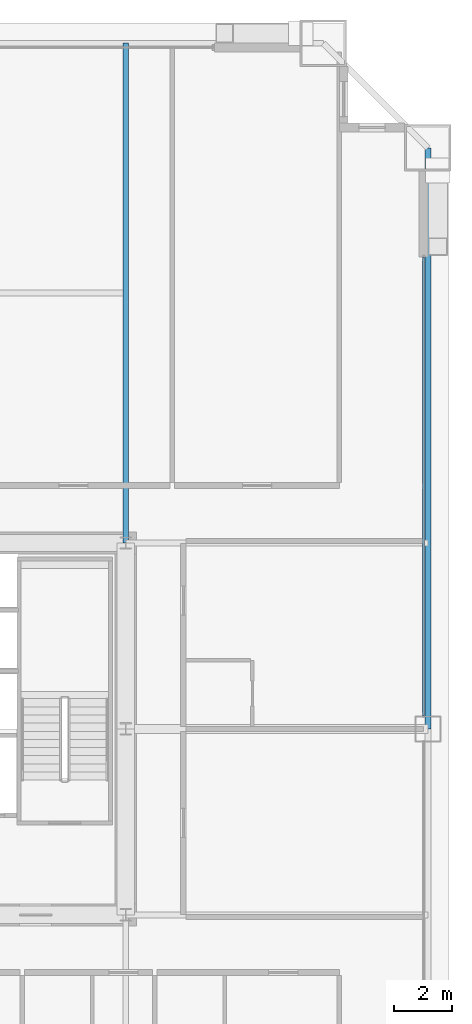
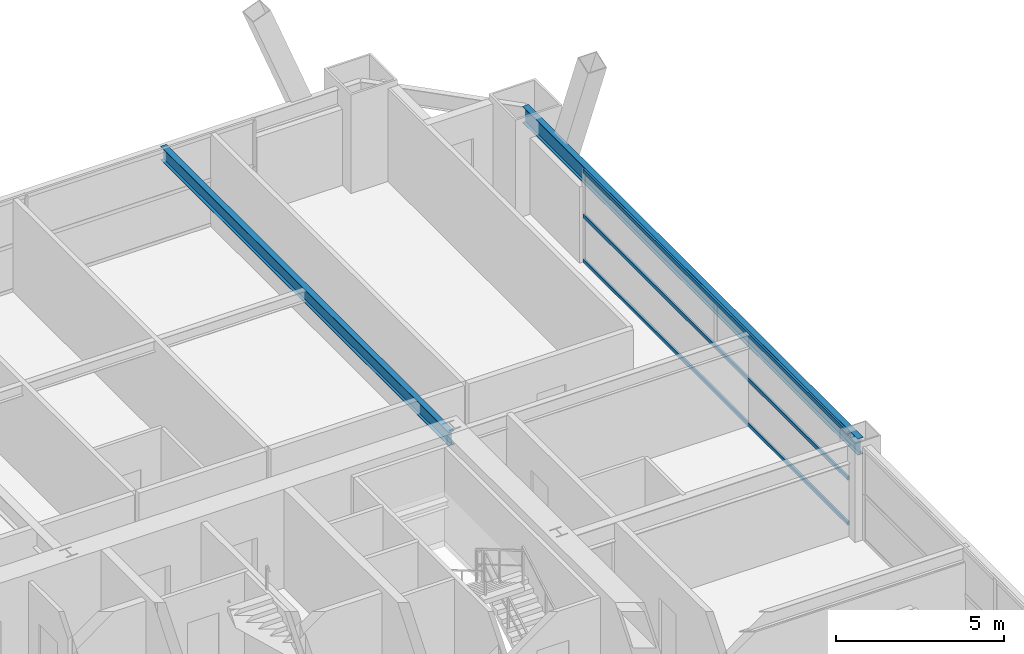
# One storey, part 32 of 43: 3 members, 2 beams, 1 element without a shape of its own.
"""IFC4 building model written with IfcOpenShell, lengths in metres."""

from ifc_helpers import new_model, si_unit, direction, frame, origin, origin_2d, place, context, subcontext, project, spatial, hollow_rectangle, i_section, extrude, source, transform, mapped, material, layer, layer_set, material_profile, profile_set, type_object, element, aggregate, save


model = new_model("IFC4")

# Units and contexts
model_context = context("Model", 3, precision=1e-05, world=origin(), true_north=direction((0.0, 1.0)))
body_context = subcontext(model_context, "Body", "Model", "MODEL_VIEW")
ifc_project = project(units=[si_unit("LENGTHUNIT", "METRE"), si_unit("AREAUNIT", "SQUARE_METRE"), si_unit("VOLUMEUNIT", "CUBIC_METRE"), si_unit("PLANEANGLEUNIT", "RADIAN"), si_unit("MASSUNIT", "GRAM", prefix="KILO"), si_unit("THERMODYNAMICTEMPERATUREUNIT", "KELVIN"), si_unit("POWERUNIT", "WATT")], contexts=[model_context])

# Site, building, storey
site_placement = place(None, origin())
site = spatial("IfcSite", under=ifc_project, at=site_placement, CompositionType="ELEMENT")
building_placement = place(site_placement, origin())
building = spatial("IfcBuilding", under=site, at=building_placement, Name="Yuzanri Waterfront Tower", CompositionType="ELEMENT")
storey_placement = place(building_placement, frame((0.0, 0.0, 93.800048828125)))
storey = spatial("IfcBuildingStorey", under=building, at=storey_placement, Name="L24", CompositionType="ELEMENT", Elevation=93.800048828125)

# Beams
ifc_material_1 = material(Name="Steel Q355B", Category="steel")
ifc_material_profile_1 = material_profile(ifc_material_1, i_section(OverallWidth=0.199951171875, OverallDepth=0.60009765625, WebThickness=0.010986328125, FlangeThickness=0.01708984375, at=origin_2d()), Name="HN 600x200x11x17")
ifc_profile_set_1 = profile_set([ifc_material_profile_1], Name="Steel Q355B")
beam_type_1 = type_object("IfcBeamType", Name="Perimeter Spandrel Q355B HN 600x200", PredefinedType="SPANDREL", material=ifc_profile_set_1)
shared_shape_1 = source(origin(), body_context, "Body", "SweptSolid", [
    extrude(i_section(OverallWidth=0.199951171875, OverallDepth=0.60009765625, WebThickness=0.010986328125, FlangeThickness=0.01708984375, at=origin_2d()), origin(), (0.0, 0.0, 1.0), 20.0),
])
beam_1_placement = place(storey_placement, frame((60.60009765625, 25.800048828125, 3.079833984375), z_axis=(0.0, 1.0, 0.0), x_axis=(-1.0, 0.0, 0.0)))
element("IfcBeam", 1, at=beam_1_placement, inside=storey, type_object=beam_type_1, Name="L24 Perimeter Spandrel E2-E3", PredefinedType="SPANDREL", context=body_context, shape_type="MappedRepresentation", body=[
    mapped(shared_shape_1, transform((0.0, 0.0, 0.0), scale=1.0)),
])
ifc_material_2 = material(Name="Steel Q355B", Category="steel")
ifc_material_profile_2 = material_profile(ifc_material_2, i_section(OverallWidth=0.199951171875, OverallDepth=0.5, WebThickness=0.010009765625, FlangeThickness=0.01611328125, at=origin_2d()), Name="HN 500x200x10x16")
ifc_profile_set_2 = profile_set([ifc_material_profile_2], Name="Steel Q355B")
beam_type_2 = type_object("IfcBeamType", Name="Secondary Floor Beam Q355B HN 500x200", PredefinedType="BEAM", material=ifc_profile_set_2)
shared_shape_2 = source(origin(), body_context, "Body", "SweptSolid", [
    extrude(i_section(OverallWidth=0.199951171875, OverallDepth=0.5, WebThickness=0.010009765625, FlangeThickness=0.01611328125, at=origin_2d()), origin(), (0.0, 0.0, 1.0), 17.199951171875),
])
beam_2_placement = place(storey_placement, frame((50.199951171875, 32.199951171875, 3.1298828125), z_axis=(0.0, 1.0, 0.0), x_axis=(-1.0, 0.0, 0.0)))
element("IfcBeam", 2, at=beam_2_placement, inside=storey, type_object=beam_type_2, Name="L24 North-East Core Line Beam", PredefinedType="BEAM", context=body_context, shape_type="MappedRepresentation", body=[
    mapped(shared_shape_2, transform((0.0, 0.0, 0.0), scale=1.0)),
])

# Curtain wall, members
ifc_material_3 = material(Name="Anodized Architectural Bronze", Category="metal")
ifc_layer = layer(ifc_material_3, 0.159912109375)
ifc_layer_set = layer_set([ifc_layer], Name="Anodized Architectural Bronze")
curtain_wall_type = type_object("IfcCurtainWallType", Name="Anodized Bronze Hotel Upper-Tier Solar-Control Unitized Curtain Wall 7800", PredefinedType="NOTDEFINED", material=ifc_layer_set)
curtain_wall_placement = place(storey_placement, origin())
curtain_wall = element("IfcCurtainWall", 3, at=curtain_wall_placement, inside=storey, type_object=curtain_wall_type, Name="L24 Curtain Wall CW-L24-ER", PredefinedType="NOTDEFINED")
ifc_material_4 = material(Name="Anodized Architectural Bronze", Category="metal")
ifc_material_profile_3 = material_profile(ifc_material_4, hollow_rectangle(XDim=0.070068359375, YDim=0.135009765625, WallThickness=0.00341796875, at=origin_2d()), Name="CWT 70x135")
ifc_profile_set_3 = profile_set([ifc_material_profile_3], Name="Anodized Architectural Bronze")
member_type = type_object("IfcMemberType", Name="Anodized Bronze Standard Curtain-Wall Transom 70x135", PredefinedType="USERDEFINED", material=ifc_profile_set_3)
shared_shape_3 = source(origin(), body_context, "Body", "SweptSolid", [
    extrude(hollow_rectangle(XDim=0.070068359375, YDim=0.135009765625, WallThickness=0.00341796875, at=origin_2d()), origin(), (0.0, 0.0, 1.0), 15.800048828125),
])
member_1_placement = place(storey_placement, frame((60.449951171875, 26.25, 0.050048828125), z_axis=(0.0, 1.0, 0.0), x_axis=(-1.0, 0.0, 0.0)))
member_1 = element("IfcMember", 4, at=member_1_placement, type_object=member_type, Name="CW-L24-ER Transom 1", ObjectType="TRANSOM", PredefinedType="USERDEFINED", context=body_context, shape_type="MappedRepresentation", body=[
    mapped(shared_shape_3, transform((0.0, 0.0, 0.0), scale=1.0)),
])
member_2_placement = place(storey_placement, frame((60.449951171875, 26.25, 1.68994140625), z_axis=(0.0, 1.0, 0.0), x_axis=(-1.0, 0.0, 0.0)))
member_2 = element("IfcMember", 5, at=member_2_placement, type_object=member_type, Name="CW-L24-ER Transom 2", ObjectType="TRANSOM", PredefinedType="USERDEFINED", context=body_context, shape_type="MappedRepresentation", body=[
    mapped(shared_shape_3, transform((0.0, 0.0, 0.0), scale=1.0)),
])
member_3_placement = place(storey_placement, frame((60.449951171875, 26.25, 3.329833984375), z_axis=(0.0, 1.0, 0.0), x_axis=(-1.0, 0.0, 0.0)))
member_3 = element("IfcMember", 6, at=member_3_placement, type_object=member_type, Name="CW-L24-ER Transom 3", ObjectType="TRANSOM", PredefinedType="USERDEFINED", context=body_context, shape_type="MappedRepresentation", body=[
    mapped(shared_shape_3, transform((0.0, 0.0, 0.0), scale=1.0)),
])
aggregate(curtain_wall, [member_1, member_2, member_3])

save(model, "model.ifc")
